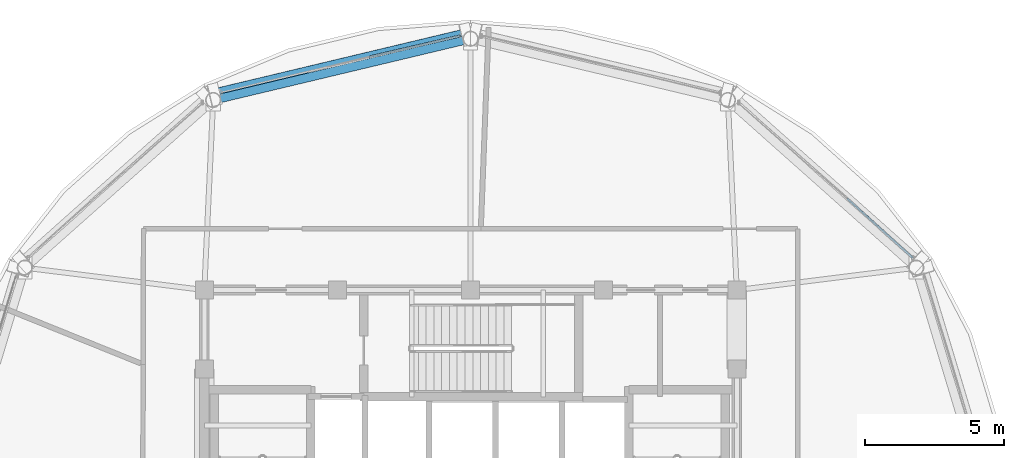
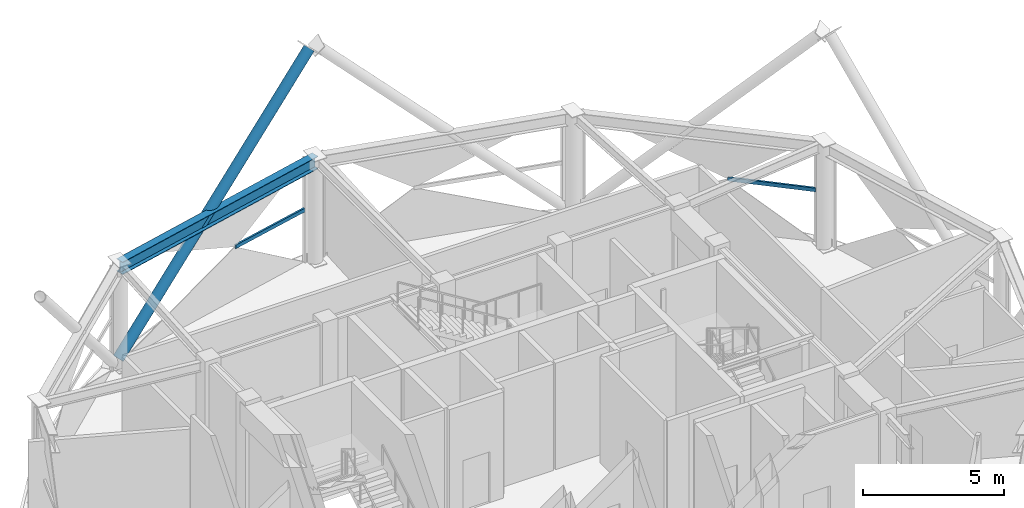
# One storey, part 17 of 27: 3 members, 1 beam, 2 elements without a shape of their own.
"""IFC4 building model written with IfcOpenShell, lengths in metres."""

from ifc_helpers import new_model, si_unit, direction, frame, origin, origin_2d, place, context, subcontext, project, spatial, hollow_rectangle, hollow_circle, i_section, extrude, material, layer, layer_set, material_profile, profile_set, type_object, element, aggregate, save


model = new_model("IFC4")

# Units and contexts
model_context = context("Model", 3, precision=1e-05, world=origin(), true_north=direction((0.0, 1.0)))
body_context = subcontext(model_context, "Body", "Model", "MODEL_VIEW")
ifc_project = project(units=[si_unit("LENGTHUNIT", "METRE"), si_unit("AREAUNIT", "SQUARE_METRE"), si_unit("VOLUMEUNIT", "CUBIC_METRE"), si_unit("PLANEANGLEUNIT", "RADIAN"), si_unit("MASSUNIT", "GRAM", prefix="KILO")], contexts=[model_context])

# Site, building, storey
site_placement = place(None, origin())
site = spatial("IfcSite", under=ifc_project, at=site_placement, CompositionType="ELEMENT")
building_placement = place(site_placement, origin())
building = spatial("IfcBuilding", under=site, at=building_placement, Name="Vantalir Tower", CompositionType="ELEMENT")
storey_placement = place(building_placement, frame((0.0, 0.0, 290.10009765625)))
storey = spatial("IfcBuildingStorey", under=building, at=storey_placement, Name="L73", CompositionType="ELEMENT", Elevation=290.10009765625)

# Beam
ifc_material_1 = material(Name="Steel S460", Category="steel")
ifc_material_profile_1 = material_profile(ifc_material_1, i_section(OverallWidth=0.31201171875, OverallDepth=0.5419921875, WebThickness=0.0126953125, FlangeThickness=0.020263671875, at=origin_2d()), Name="Steel S460")
ifc_profile_set_1 = profile_set([ifc_material_profile_1], Name="Steel S460")
beam_type = type_object("IfcBeamType", Name="BM-RG-533x312", PredefinedType="USERDEFINED", material=ifc_profile_set_1)
beam_placement = place(storey_placement, frame((31.5, 41.511962890625, 4.348876953125), z_axis=(-0.972749896139, -0.231856937703, 0.0), x_axis=(0.231856937703, -0.972749896139, 0.0)))
element("IfcBeam", 1, at=beam_placement, inside=storey, type_object=beam_type, Name="L73 Circumferential Ring Girder 04", ObjectType="GIRDER", PredefinedType="USERDEFINED", context=body_context, shape_type="SweptSolid", body=[
    extrude(i_section(OverallWidth=0.31201171875, OverallDepth=0.5419921875, WebThickness=0.0126953125, FlangeThickness=0.020263671875, at=origin_2d()), origin(), (0.0, 0.0, 1.0), 9.5400390625),
])

# Curtain wall, member
ifc_material_2 = material(Name="Champagne-silver PVDF aluminium and double-silver Low-E glass", Category="aluminium")
ifc_layer = layer(ifc_material_2, 0.219970703125)
ifc_layer_set = layer_set([ifc_layer], Name="Champagne-silver PVDF aluminium and double-silver Low-E glass")
curtain_wall_type = type_object("IfcCurtainWallType", Name="CW-DIAMOND-Z4", PredefinedType="USERDEFINED", material=ifc_layer_set)
curtain_wall_1_placement = place(storey_placement, origin())
curtain_wall_1 = element("IfcCurtainWall", 2, at=curtain_wall_1_placement, inside=storey, type_object=curtain_wall_type, Name="L73 Quilted Pyramid-Diamond Curtain Wall S02", ObjectType="UNITISED CURTAIN WALL", PredefinedType="USERDEFINED")
ifc_material_3 = material(Name="Champagne-silver PVDF aluminium 6063-T6", Category="aluminium")
ifc_material_profile_2 = material_profile(ifc_material_3, hollow_rectangle(XDim=0.074951171875, YDim=0.159912109375, WallThickness=0.00390625, at=origin_2d()), Name="Champagne-silver PVDF aluminium 6063-T6")
ifc_profile_set_2 = profile_set([ifc_material_profile_2], Name="Champagne-silver PVDF aluminium 6063-T6")
member_type_1 = type_object("IfcMemberType", Name="CWT-160x75", PredefinedType="USERDEFINED", material=ifc_profile_set_2)
member_1_placement = place(storey_placement, frame((47.447021484375, 33.610107421875, 2.309814453125), z_axis=(-0.7417748974, 0.670648940644, 0.0), x_axis=(-0.670648940644, -0.7417748974, 0.0)))
member_1 = element("IfcMember", 3, at=member_1_placement, type_object=member_type_1, Name="CW-L73-S02 Pyramid Fold Ridge Transom", ObjectType="TRANSOM", PredefinedType="USERDEFINED", context=body_context, shape_type="SweptSolid", body=[
    extrude(hollow_rectangle(XDim=0.074951171875, YDim=0.159912109375, WallThickness=0.00390625, at=origin_2d()), origin(), (0.0, 0.0, 1.0), 3.192138671875),
])
aggregate(curtain_wall_1, [member_1])

curtain_wall_2_placement = place(storey_placement, origin())
curtain_wall_2 = element("IfcCurtainWall", 4, at=curtain_wall_2_placement, inside=storey, type_object=curtain_wall_type, Name="L73 Quilted Pyramid-Diamond Curtain Wall S04", ObjectType="UNITISED CURTAIN WALL", PredefinedType="USERDEFINED")
member_2_placement = place(storey_placement, frame((31.12109375, 41.611083984375, 2.309814453125), z_axis=(-0.974317808168, -0.225177282796, 0.0), x_axis=(0.225177282796, -0.974317808168, 0.0)))
member_2 = element("IfcMember", 5, at=member_2_placement, type_object=member_type_1, Name="CW-L73-S04 Pyramid Fold Ridge Transom", ObjectType="TRANSOM", PredefinedType="USERDEFINED", context=body_context, shape_type="SweptSolid", body=[
    extrude(hollow_rectangle(XDim=0.074951171875, YDim=0.159912109375, WallThickness=0.00390625, at=origin_2d()), origin(), (0.0, 0.0, 1.0), 3.366455078125),
])
aggregate(curtain_wall_2, [member_2])

# Member
ifc_material_profile_3 = material_profile(ifc_material_1, hollow_circle(Radius=0.2099609375, WallThickness=0.02490234375, at=origin_2d()), Name="Steel S460")
ifc_profile_set_3 = profile_set([ifc_material_profile_3], Name="Steel S460")
member_type_2 = type_object("IfcMemberType", Name="MEM-DB-420x25", PredefinedType="BRACE", material=ifc_profile_set_3)
member_3_placement = place(storey_placement, frame((22.279052734375, 39.5009765625, 0.23193359375), z_axis=(0.701401813214, 0.167408736936, 0.692827403628), x_axis=(-0.232156338212, 0.972678484715, 0.0)))
element("IfcMember", 6, at=member_3_placement, inside=storey, type_object=member_type_2, Name="L73 Perimeter S460 Diagrid Brace R13R", PredefinedType="BRACE", context=body_context, shape_type="SweptSolid", body=[
    extrude(hollow_circle(Radius=0.2099609375, WallThickness=0.02490234375, at=origin_2d()), origin(), (0.0, 0.0, 1.0), 12.9267578125),
])

save(model, "model.ifc")
